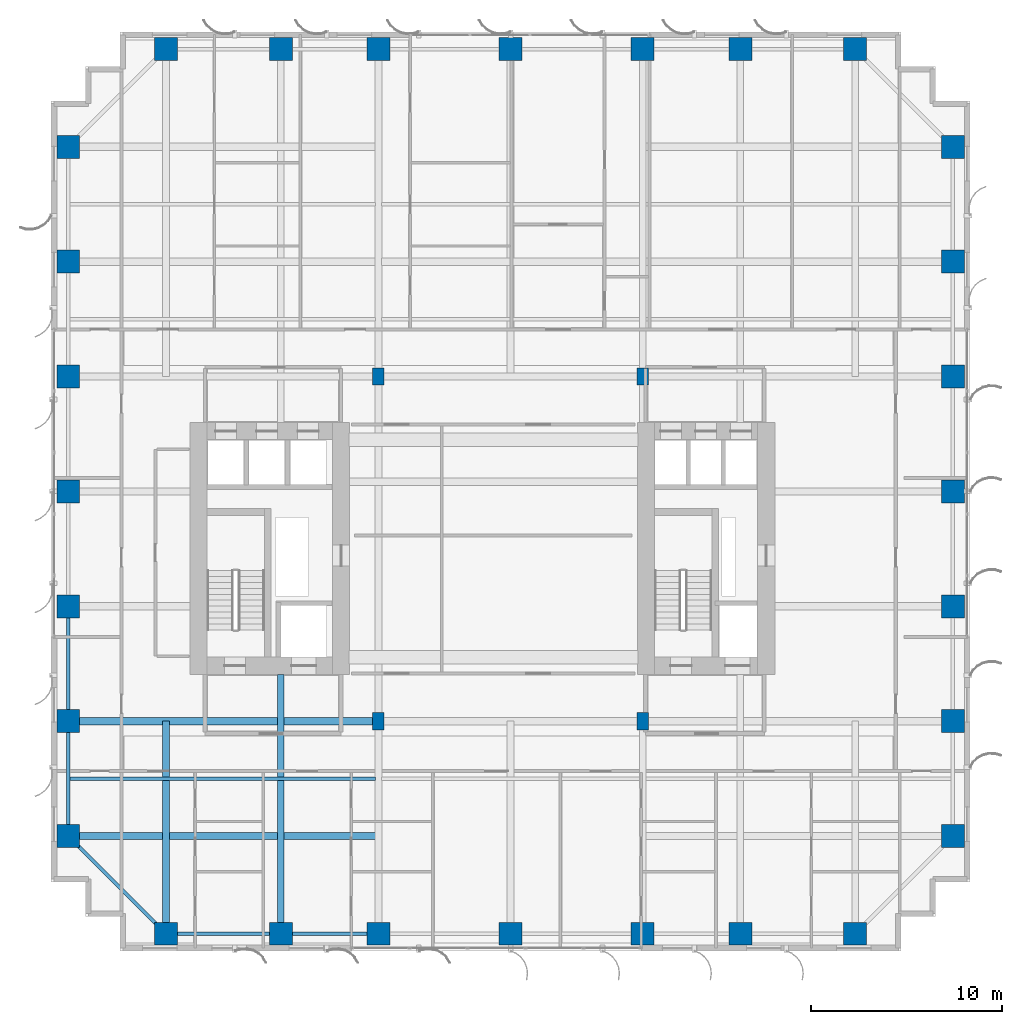
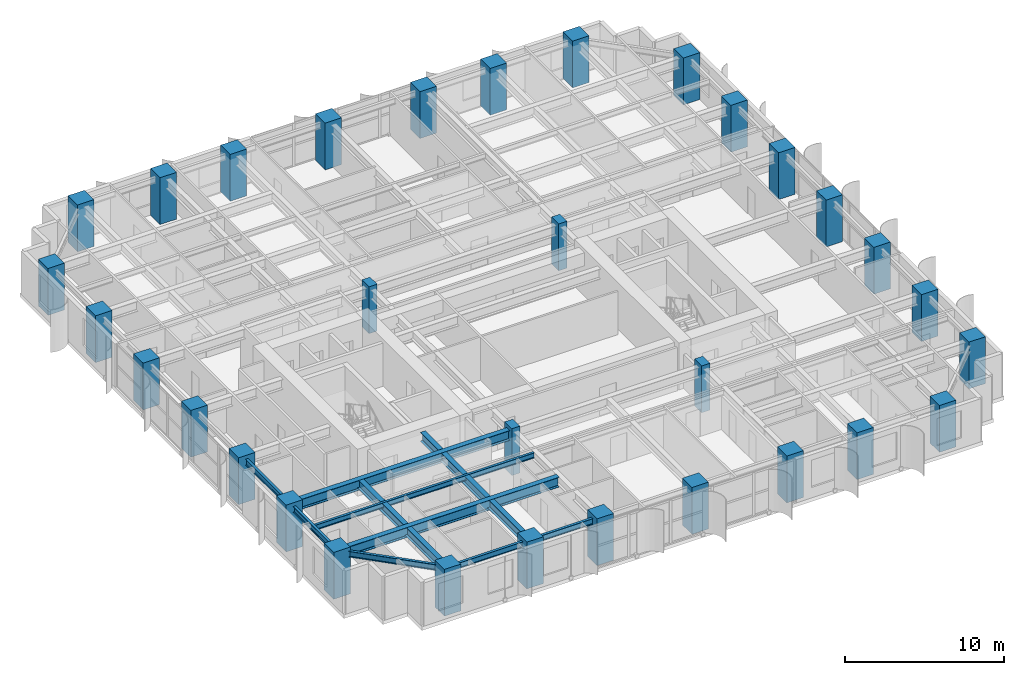
# One storey, part 1 of 24: 32 columns, 10 beams.
"""IFC4 building model written with IfcOpenShell, lengths in metres."""

from ifc_helpers import new_model, si_unit, direction, frame, origin, origin_2d, place, context, subcontext, project, spatial, rectangle, i_section, extrude, source, transform, mapped, material, material_profile, profile_set, type_object, element, save


model = new_model("IFC4")

# Units and contexts
model_context = context("Model", 3, precision=1e-05, world=origin(), true_north=direction((0.0, 1.0)))
body_context = subcontext(model_context, "Body", "Model", "MODEL_VIEW")
ifc_project = project(units=[si_unit("LENGTHUNIT", "METRE"), si_unit("AREAUNIT", "SQUARE_METRE"), si_unit("VOLUMEUNIT", "CUBIC_METRE"), si_unit("PLANEANGLEUNIT", "RADIAN"), si_unit("MASSUNIT", "GRAM", prefix="KILO")], contexts=[model_context])

# Site, building, storey
site_placement = place(None, origin())
site = spatial("IfcSite", under=ifc_project, at=site_placement, CompositionType="ELEMENT")
building_placement = place(site_placement, origin())
building = spatial("IfcBuilding", under=site, at=building_placement, Name="Khoralis Quay Care Tower", CompositionType="ELEMENT")
storey_placement = place(building_placement, frame((0.0, 0.0, 40.5)))
storey = spatial("IfcBuildingStorey", under=building, at=storey_placement, Name="L10", CompositionType="ELEMENT", Elevation=40.5)

# Columns
ifc_material_1 = material(Name="Concrete C80/95", Category="concrete")
ifc_material_profile_1 = material_profile(ifc_material_1, rectangle(XDim=1.199951171875, YDim=1.199951171875, at=origin_2d()), Name="Concrete C80/95")
ifc_profile_set_1 = profile_set([ifc_material_profile_1], Name="Concrete C80/95")
column_type_1 = type_object("IfcColumnType", Name="COL-C1200", PredefinedType="COLUMN", material=ifc_profile_set_1)
shared_shape_1 = source(origin(), body_context, "Body", "SweptSolid", [
    extrude(rectangle(XDim=1.199951171875, YDim=1.199951171875, at=origin_2d()), origin(), (0.0, 0.0, 1.0), 3.60009765625),
])
for number, where, z_axis, x_axis, name in (
    (1, (6.0, 0.89990234375, 0.0), (0.0, 0.0, 1.0), (1.0, 0.0, 0.0), "COL-TWR-L10-01"),
    (2, (6.0, 47.10009765625, 0.0), (0.0, 0.0, 1.0), (1.0, 0.0, 0.0), "COL-TWR-L10-02"),
    (3, (12.0, 0.89990234375, 0.0), (0.0, 0.0, 1.0), (1.0, 0.0, 0.0), "COL-TWR-L10-03"),
    (4, (12.0, 47.10009765625, 0.0), (0.0, 0.0, 1.0), (1.0, 0.0, 0.0), "COL-TWR-L10-04"),
    (5, (17.10009765625, 0.89990234375, 0.0), (0.0, 0.0, 1.0), (1.0, 0.0, 0.0), "COL-TWR-L10-05"),
    (6, (17.10009765625, 47.10009765625, 0.0), (0.0, 0.0, 1.0), (1.0, 0.0, 0.0), "COL-TWR-L10-06"),
    (7, (24.0, 0.89990234375, 0.0), (0.0, 0.0, 1.0), (1.0, 0.0, 0.0), "COL-TWR-L10-07"),
    (8, (24.0, 47.10009765625, 0.0), (0.0, 0.0, 1.0), (1.0, 0.0, 0.0), "COL-TWR-L10-08"),
    (9, (30.89990234375, 0.89990234375, 0.0), (0.0, 0.0, 1.0), (1.0, 0.0, 0.0), "COL-TWR-L10-09"),
    (10, (30.89990234375, 47.10009765625, 0.0), (0.0, 0.0, 1.0), (1.0, 0.0, 0.0), "COL-TWR-L10-10"),
    (11, (36.0, 0.89990234375, 0.0), (0.0, 0.0, 1.0), (1.0, 0.0, 0.0), "COL-TWR-L10-11"),
    (12, (36.0, 47.10009765625, 0.0), (0.0, 0.0, 1.0), (1.0, 0.0, 0.0), "COL-TWR-L10-12"),
    (13, (42.0, 0.89990234375, 0.0), (0.0, 0.0, 1.0), (1.0, 0.0, 0.0), "COL-TWR-L10-13"),
    (14, (42.0, 47.10009765625, 0.0), (0.0, 0.0, 1.0), (1.0, 0.0, 0.0), "COL-TWR-L10-14"),
    (15, (0.89990234375, 6.0, 0.0), (0.0, 0.0, 1.0), (1.0, 0.0, 0.0), "COL-TWR-L10-15"),
    (16, (47.10009765625, 6.0, 0.0), (0.0, 0.0, 1.0), (1.0, 0.0, 0.0), "COL-TWR-L10-16"),
    (17, (0.89990234375, 12.0, 0.0), (0.0, 0.0, 1.0), (1.0, 0.0, 0.0), "COL-TWR-L10-17"),
    (18, (47.10009765625, 12.0, 0.0), (0.0, 0.0, 1.0), (1.0, 0.0, 0.0), "COL-TWR-L10-18"),
    (19, (0.89990234375, 18.0, 0.0), (0.0, 0.0, 1.0), (1.0, 0.0, 0.0), "COL-TWR-L10-19"),
    (20, (47.10009765625, 18.0, 0.0), (0.0, 0.0, 1.0), (1.0, 0.0, 0.0), "COL-TWR-L10-20"),
    (21, (0.89990234375, 24.0, 0.0), (0.0, 0.0, 1.0), (1.0, 0.0, 0.0), "COL-TWR-L10-21"),
    (22, (47.10009765625, 24.0, 0.0), (0.0, 0.0, 1.0), (1.0, 0.0, 0.0), "COL-TWR-L10-22"),
    (23, (0.89990234375, 30.0, 0.0), (0.0, 0.0, 1.0), (1.0, 0.0, 0.0), "COL-TWR-L10-23"),
    (24, (47.10009765625, 30.0, 0.0), (0.0, 0.0, 1.0), (1.0, 0.0, 0.0), "COL-TWR-L10-24"),
    (25, (0.89990234375, 36.0, 0.0), (0.0, 0.0, 1.0), (1.0, 0.0, 0.0), "COL-TWR-L10-25"),
    (26, (47.10009765625, 36.0, 0.0), (0.0, 0.0, 1.0), (1.0, 0.0, 0.0), "COL-TWR-L10-26"),
    (27, (0.89990234375, 42.0, 0.0), (0.0, 0.0, 1.0), (1.0, 0.0, 0.0), "COL-TWR-L10-27"),
    (28, (47.10009765625, 42.0, 0.0), (0.0, 0.0, 1.0), (1.0, 0.0, 0.0), "COL-TWR-L10-28"),
):
    element("IfcColumn", number, at=place(storey_placement, frame(where, z_axis=z_axis, x_axis=x_axis)), inside=storey, type_object=column_type_1, Name=name, PredefinedType="COLUMN", context=body_context, shape_type="MappedRepresentation", body=[
        mapped(shared_shape_1, transform((0.0, 0.0, 0.0), scale=1.0)),
    ])
ifc_material_2 = material(Name="Concrete C65/80", Category="concrete")
ifc_material_profile_2 = material_profile(ifc_material_2, rectangle(XDim=0.60009765625, YDim=0.89990234375, at=origin_2d()), Name="Concrete C65/80")
ifc_profile_set_2 = profile_set([ifc_material_profile_2], Name="Concrete C65/80")
column_type_2 = type_object("IfcColumnType", Name="COL-C600X900", PredefinedType="COLUMN", material=ifc_profile_set_2)
shared_shape_2 = source(origin(), body_context, "Body", "SweptSolid", [
    extrude(rectangle(XDim=0.60009765625, YDim=0.89990234375, at=origin_2d()), origin(), (0.0, 0.0, 1.0), 3.60009765625),
])
for number, where, z_axis, x_axis, name in (
    (29, (17.10009765625, 12.0, 0.0), (0.0, 0.0, 1.0), (1.0, 0.0, 0.0), "COL-TWR-L10-29"),
    (30, (17.10009765625, 30.0, 0.0), (0.0, 0.0, 1.0), (1.0, 0.0, 0.0), "COL-TWR-L10-30"),
    (31, (30.89990234375, 12.0, 0.0), (0.0, 0.0, 1.0), (1.0, 0.0, 0.0), "COL-TWR-L10-31"),
    (32, (30.89990234375, 30.0, 0.0), (0.0, 0.0, 1.0), (1.0, 0.0, 0.0), "COL-TWR-L10-32"),
):
    element("IfcColumn", number, at=place(storey_placement, frame(where, z_axis=z_axis, x_axis=x_axis)), inside=storey, type_object=column_type_2, Name=name, PredefinedType="COLUMN", context=body_context, shape_type="MappedRepresentation", body=[
        mapped(shared_shape_2, transform((0.0, 0.0, 0.0), scale=1.0)),
    ])

# Beams
ifc_material_3 = material(Name="Steel S355", Category="steel")
ifc_material_profile_3 = material_profile(ifc_material_3, i_section(OverallWidth=0.18994140625, OverallDepth=0.449951171875, WebThickness=0.009521484375, FlangeThickness=0.0146484375, FilletRadius=0.02099609375, at=origin_2d()), Name="Steel S355")
ifc_profile_set_3 = profile_set([ifc_material_profile_3], Name="Steel S355")
beam_type_1 = type_object("IfcBeamType", Name="BM-IPE450", PredefinedType="SPANDREL", material=ifc_profile_set_3)
shared_shape_3 = source(origin(), body_context, "Body", "SweptSolid", [
    extrude(i_section(OverallWidth=0.18994140625, OverallDepth=0.449951171875, WebThickness=0.009521484375, FlangeThickness=0.0146484375, FilletRadius=0.02099609375, at=origin_2d()), origin(), (0.0, 0.0, 1.0), 6.0),
])
for number, where, z_axis, x_axis, name in (
    (33, (6.0, 0.89990234375, 3.094970703125), (1.0, 0.0, 0.0), (0.0, 1.0, 0.0), "BM-TSP-L10-01"),
    (34, (0.89990234375, 6.0, 3.094970703125), (0.0, 1.0, 0.0), (-1.0, 0.0, 0.0), "BM-TSP-L10-13"),
    (35, (0.89990234375, 12.0, 3.094970703125), (0.0, 1.0, 0.0), (-1.0, 0.0, 0.0), "BM-TSP-L10-14"),
):
    element("IfcBeam", number, at=place(storey_placement, frame(where, z_axis=z_axis, x_axis=x_axis)), inside=storey, type_object=beam_type_1, Name=name, PredefinedType="SPANDREL", context=body_context, shape_type="MappedRepresentation", body=[
        mapped(shared_shape_3, transform((0.0, 0.0, 0.0), scale=1.0)),
    ])
shared_shape_4 = source(origin(), body_context, "Body", "SweptSolid", [
    extrude(i_section(OverallWidth=0.18994140625, OverallDepth=0.449951171875, WebThickness=0.009521484375, FlangeThickness=0.0146484375, FilletRadius=0.02099609375, at=origin_2d()), origin(), (0.0, 0.0, 1.0), 5.10009765625),
])
beam_1_placement = place(storey_placement, frame((12.0, 0.89990234375, 3.094970703125), z_axis=(1.0, 0.0, 0.0), x_axis=(0.0, 1.0, 0.0)))
element("IfcBeam", 36, at=beam_1_placement, inside=storey, type_object=beam_type_1, Name="BM-TSP-L10-02", PredefinedType="SPANDREL", context=body_context, shape_type="MappedRepresentation", body=[
    mapped(shared_shape_4, transform((0.0, 0.0, 0.0), scale=1.0)),
])
shared_shape_5 = source(origin(), body_context, "Body", "SweptSolid", [
    extrude(i_section(OverallWidth=0.18994140625, OverallDepth=0.449951171875, WebThickness=0.009521484375, FlangeThickness=0.0146484375, FilletRadius=0.02099609375, at=origin_2d()), origin(), (0.0, 0.0, 1.0), 7.212646484375),
])
beam_2_placement = place(storey_placement, frame((6.0, 0.89990234375, 3.094970703125), z_axis=(-0.707106781187, 0.707106781187, 0.0), x_axis=(-0.707106781187, -0.707106781187, 0.0)))
element("IfcBeam", 37, at=beam_2_placement, inside=storey, type_object=beam_type_1, Name="BM-TCR-L10-25", PredefinedType="SPANDREL", context=body_context, shape_type="MappedRepresentation", body=[
    mapped(shared_shape_5, transform((0.0, 0.0, 0.0), scale=1.0)),
])
ifc_material_profile_4 = material_profile(ifc_material_3, i_section(OverallWidth=0.381103515625, OverallDepth=0.77294921875, WebThickness=0.0166015625, FlangeThickness=0.027587890625, FilletRadius=0.02197265625, at=origin_2d()), Name="Steel S355")
ifc_profile_set_4 = profile_set([ifc_material_profile_4], Name="Steel S355")
beam_type_2 = type_object("IfcBeamType", Name="BM-W760X257", PredefinedType="BEAM", material=ifc_profile_set_4)
shared_shape_6 = source(origin(), body_context, "Body", "SweptSolid", [
    extrude(i_section(OverallWidth=0.381103515625, OverallDepth=0.77294921875, WebThickness=0.0166015625, FlangeThickness=0.027587890625, FilletRadius=0.02197265625, at=origin_2d()), origin(), (0.0, 0.0, 1.0), 16.03466796875),
])
beam_3_placement = place(storey_placement, frame((0.89990234375, 6.0, 2.93359375), z_axis=(1.0, 0.0, 0.0), x_axis=(0.0, 1.0, 0.0)))
element("IfcBeam", 38, at=beam_3_placement, inside=storey, type_object=beam_type_2, Name="BM-TGXW-L10-60", PredefinedType="BEAM", context=body_context, shape_type="MappedRepresentation", body=[
    mapped(shared_shape_6, transform((0.0, 0.0, 0.0), scale=1.0)),
])
shared_shape_7 = source(origin(), body_context, "Body", "SweptSolid", [
    extrude(i_section(OverallWidth=0.381103515625, OverallDepth=0.77294921875, WebThickness=0.0166015625, FlangeThickness=0.027587890625, FilletRadius=0.02197265625, at=origin_2d()), origin(), (0.0, 0.0, 1.0), 16.2001953125),
])
beam_4_placement = place(storey_placement, frame((0.89990234375, 12.0, 2.93359375), z_axis=(1.0, 0.0, 0.0), x_axis=(0.0, 1.0, 0.0)))
element("IfcBeam", 39, at=beam_4_placement, inside=storey, type_object=beam_type_2, Name="BM-TGXW-L10-120", PredefinedType="BEAM", context=body_context, shape_type="MappedRepresentation", body=[
    mapped(shared_shape_7, transform((0.0, 0.0, 0.0), scale=1.0)),
])
ifc_material_profile_5 = material_profile(ifc_material_3, i_section(OverallWidth=0.35498046875, OverallDepth=0.695068359375, WebThickness=0.015380859375, FlangeThickness=0.02490234375, FilletRadius=0.02001953125, at=origin_2d()), Name="Steel S355")
ifc_profile_set_5 = profile_set([ifc_material_profile_5], Name="Steel S355")
beam_type_3 = type_object("IfcBeamType", Name="BM-W690X217", PredefinedType="BEAM", material=ifc_profile_set_5)
shared_shape_8 = source(origin(), body_context, "Body", "SweptSolid", [
    extrude(i_section(OverallWidth=0.35498046875, OverallDepth=0.695068359375, WebThickness=0.015380859375, FlangeThickness=0.02490234375, FilletRadius=0.02001953125, at=origin_2d()), origin(), (0.0, 0.0, 1.0), 11.10009765625),
])
beam_5_placement = place(storey_placement, frame((6.0, 0.89990234375, 2.972412109375), z_axis=(0.0, 1.0, 0.0), x_axis=(-1.0, 0.0, 0.0)))
element("IfcBeam", 40, at=beam_5_placement, inside=storey, type_object=beam_type_3, Name="BM-TGYS-L10-60", PredefinedType="BEAM", context=body_context, shape_type="MappedRepresentation", body=[
    mapped(shared_shape_8, transform((0.0, 0.0, 0.0), scale=1.0)),
])
shared_shape_9 = source(origin(), body_context, "Body", "SweptSolid", [
    extrude(i_section(OverallWidth=0.35498046875, OverallDepth=0.695068359375, WebThickness=0.015380859375, FlangeThickness=0.02490234375, FilletRadius=0.02001953125, at=origin_2d()), origin(), (0.0, 0.0, 1.0), 13.552001953125),
])
beam_6_placement = place(storey_placement, frame((12.0, 0.89990234375, 2.972412109375), z_axis=(0.0, 1.0, 0.0), x_axis=(-1.0, 0.0, 0.0)))
element("IfcBeam", 41, at=beam_6_placement, inside=storey, type_object=beam_type_3, Name="BM-TGYS-L10-120", PredefinedType="BEAM", context=body_context, shape_type="MappedRepresentation", body=[
    mapped(shared_shape_9, transform((0.0, 0.0, 0.0), scale=1.0)),
])
ifc_material_profile_6 = material_profile(ifc_material_3, i_section(OverallWidth=0.177978515625, OverallDepth=0.406982421875, WebThickness=0.0078125, FlangeThickness=0.0126953125, FilletRadius=0.012939453125, at=origin_2d()), Name="Steel S355")
ifc_profile_set_6 = profile_set([ifc_material_profile_6], Name="Steel S355")
beam_type_4 = type_object("IfcBeamType", Name="BM-W410X60", PredefinedType="JOIST", material=ifc_profile_set_6)
shared_shape_10 = source(origin(), body_context, "Body", "SweptSolid", [
    extrude(i_section(OverallWidth=0.177978515625, OverallDepth=0.406982421875, WebThickness=0.0078125, FlangeThickness=0.0126953125, FilletRadius=0.012939453125, at=origin_2d()), origin(), (0.0, 0.0, 1.0), 15.95361328125),
])
beam_7_placement = place(storey_placement, frame((0.98095703125, 9.0, 3.116455078125), z_axis=(1.0, 0.0, 0.0), x_axis=(0.0, 1.0, 0.0)))
element("IfcBeam", 42, at=beam_7_placement, inside=storey, type_object=beam_type_4, Name="BM-TJS-L10-29", PredefinedType="JOIST", context=body_context, shape_type="MappedRepresentation", body=[
    mapped(shared_shape_10, transform((0.0, 0.0, 0.0), scale=1.0)),
])

save(model, "model.ifc")
